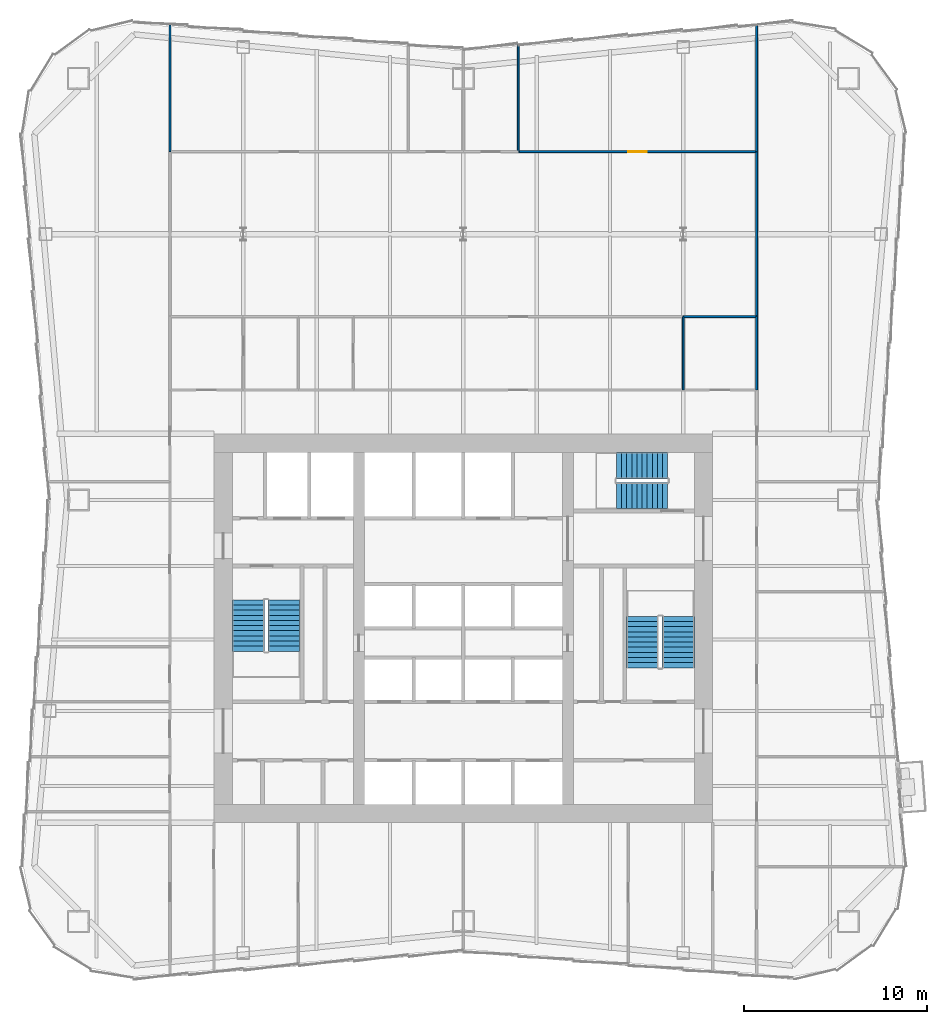
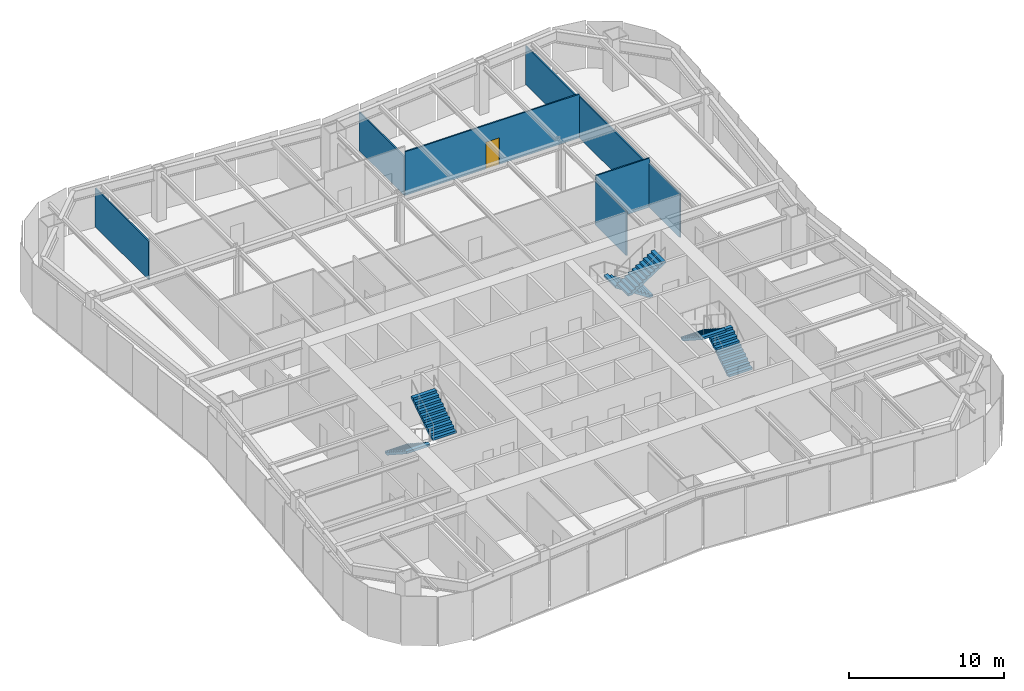
# One storey, part 7 of 9: 8 walls, 6 stair flights, 1 door, 1 opening, 3 elements without a shape of their own.
"""IFC4 building model written with IfcOpenShell, lengths in metres."""

from ifc_helpers import new_model, si_unit, direction, frame, frame_2d, origin, place, context, subcontext, project, spatial, polyline, rectangle, outline, extrude, material, layer, layer_set, type_object, element, fill, aggregate, save


model = new_model("IFC4")

# Units and contexts
model_context = context("Model", 3, precision=1e-05, world=origin(), true_north=direction((0.0, 1.0)))
body_context = subcontext(model_context, "Body", "Model", "MODEL_VIEW")
ifc_project = project(units=[si_unit("LENGTHUNIT", "METRE"), si_unit("AREAUNIT", "SQUARE_METRE"), si_unit("VOLUMEUNIT", "CUBIC_METRE"), si_unit("PLANEANGLEUNIT", "RADIAN"), si_unit("MASSUNIT", "GRAM", prefix="KILO")], contexts=[model_context])

# Site, building, storey
site_placement = place(None, origin())
site = spatial("IfcSite", under=ifc_project, at=site_placement, CompositionType="ELEMENT")
building_placement = place(site_placement, origin())
building = spatial("IfcBuilding", under=site, at=building_placement, Name="Verdant Reach Tower", CompositionType="ELEMENT")
storey_placement = place(building_placement, frame((0.0, 0.0, 130.0)))
storey = spatial("IfcBuildingStorey", under=building, at=storey_placement, Name="L29", CompositionType="ELEMENT", Elevation=130.0)

# Walls
ifc_material_1 = material(Name="Gypsum board on steel studs", Category="steel")
ifc_layer = layer(ifc_material_1, 0.10009765625)
ifc_layer_set = layer_set([ifc_layer], Name="FL-W1 Partition 100")
wall_type = type_object("IfcWallType", Name="FL-W1 Partition 100", PredefinedType="PARTITIONING", material=ifc_layer_set)
wall_1_placement = place(storey_placement, frame((-16.0, 54.0, 0.0), z_axis=(0.0, 0.0, 1.0), x_axis=(0.0, 1.0, 0.0)))
element("IfcWall", 1, at=wall_1_placement, inside=storey, type_object=wall_type, Name="Partition 29.26", PredefinedType="PARTITIONING", context=body_context, shape_type="SweptSolid", body=[
    extrude(rectangle(XDim=6.913330078125, YDim=0.10009765625, at=frame_2d((3.45654296875, 0.0))), origin(), (0.0, 0.0, 1.0), 3.0400390625),
])
wall_2_placement = place(storey_placement, frame((16.0, 45.0, 0.0), z_axis=(0.0, 0.0, 1.0), x_axis=(0.0, -1.0, 0.0)))
element("IfcWall", 2, at=wall_2_placement, inside=storey, type_object=wall_type, Name="Partition 29.31", PredefinedType="PARTITIONING", context=body_context, shape_type="SweptSolid", body=[
    extrude(rectangle(XDim=4.0, YDim=0.10009765625, at=frame_2d((2.0, 0.0))), origin(), (0.0, 0.0, 1.0), 3.43994140625),
])
wall_3_placement = place(storey_placement, frame((16.0, 54.0, 0.0), z_axis=(0.0, 0.0, 1.0), x_axis=(0.0, -1.0, 0.0)))
element("IfcWall", 3, at=wall_3_placement, inside=storey, type_object=wall_type, Name="Partition 29.32", PredefinedType="PARTITIONING", context=body_context, shape_type="SweptSolid", body=[
    extrude(rectangle(XDim=9.0, YDim=0.10009765625, at=frame_2d((4.5, 0.0))), origin(), (0.0, 0.0, 1.0), 3.239990234375),
])
wall_4_placement = place(storey_placement, frame((16.0, 60.913330078125, 0.0), z_axis=(0.0, 0.0, 1.0), x_axis=(0.0, -1.0, 0.0)))
element("IfcWall", 4, at=wall_4_placement, inside=storey, type_object=wall_type, Name="Partition 29.33", PredefinedType="PARTITIONING", context=body_context, shape_type="SweptSolid", body=[
    extrude(rectangle(XDim=6.913330078125, YDim=0.10009765625, at=frame_2d((3.45654296875, 0.0))), origin(), (0.0, 0.0, 1.0), 3.0400390625),
])
wall_5_placement = place(storey_placement, frame((12.0, 41.0, 0.0), z_axis=(0.0, 0.0, 1.0), x_axis=(0.0, 1.0, 0.0)))
element("IfcWall", 5, at=wall_5_placement, inside=storey, type_object=wall_type, Name="Partition 29.43", PredefinedType="PARTITIONING", context=body_context, shape_type="SweptSolid", body=[
    extrude(rectangle(XDim=4.0, YDim=0.10009765625, at=frame_2d((2.0, 0.0))), origin(), (0.0, 0.0, 1.0), 3.43994140625),
])
wall_6_placement = place(storey_placement, frame((16.0, 45.0, 0.0), z_axis=(0.0, 0.0, 1.0), x_axis=(-1.0, 0.0, 0.0)))
element("IfcWall", 6, at=wall_6_placement, inside=storey, type_object=wall_type, Name="Partition 29.45", PredefinedType="PARTITIONING", context=body_context, shape_type="SweptSolid", body=[
    extrude(rectangle(XDim=4.00390625, YDim=0.10009765625, at=frame_2d((2.001953125, 0.0))), origin(), (0.0, 0.0, 1.0), 3.8701171875),
])

# Wall, opening, door
wall_7_placement = place(storey_placement, frame((3.0, 54.0, 0.0), z_axis=(0.0, 0.0, 1.0), x_axis=(1.0, 0.0, 0.0)))
wall_7 = element("IfcWall", 7, at=wall_7_placement, inside=storey, type_object=wall_type, Name="Partition 29.49", PredefinedType="PARTITIONING", context=body_context, shape_type="SweptSolid", body=[
    extrude(rectangle(XDim=13.0, YDim=0.10009765625, at=frame_2d((6.5, 0.0))), origin(), (0.0, 0.0, 1.0), 3.43994140625),
])
opening_placement = place(wall_7_placement, frame((6.0, 0.0, 0.0)))
opening = element("IfcOpeningElement", 8, at=opening_placement, cuts=wall_7, Name="Opening D3", PredefinedType="OPENING", context=body_context, shape_type="SweptSolid", body=[
    extrude(rectangle(XDim=1.0, YDim=2.10009765625, at=frame_2d((0.5, 1.050048828125))), frame((0.0, 0.06005859375, 0.0), z_axis=(0.0, -1.0, 0.0), x_axis=(1.0, 0.0, 0.0)), (0.0, 0.0, 1.0), 0.1201171875),
])
ifc_material_2 = material(Name="Painted timber door leaf", Category="wood")
door_type = type_object("IfcDoorType", Name="FL-D3 Door 1000x2100", OperationType="NOTDEFINED", PredefinedType="DOOR", material=ifc_material_2)
door_placement = place(opening_placement, origin())
door = element("IfcDoor", 9, at=door_placement, inside=storey, type_object=door_type, Name="Door 29-025", OperationType="SINGLE_SWING_LEFT", OverallHeight=2.10009765625, OverallWidth=1.0, PredefinedType="DOOR", context=body_context, shape_type="SweptSolid", body=[
    extrude(rectangle(XDim=1.0, YDim=2.10009765625, at=frame_2d((0.5, 1.050048828125))), frame((0.0, 0.02490234375, 0.0), z_axis=(0.0, -1.0, 0.0), x_axis=(1.0, 0.0, 0.0)), (0.0, 0.0, 1.0), 0.050048828125),
])
fill(opening, door)

# Wall
wall_8_placement = place(storey_placement, frame((3.0, 54.0, 0.0), z_axis=(0.0, 0.0, 1.0), x_axis=(0.0, 1.0, 0.0)))
element("IfcWall", 10, at=wall_8_placement, inside=storey, type_object=wall_type, Name="Partition 29.52", PredefinedType="PARTITIONING", context=body_context, shape_type="SweptSolid", body=[
    extrude(rectangle(XDim=5.830078125, YDim=0.10009765625, at=frame_2d((2.9150390625, 0.0))), origin(), (0.0, 0.0, 1.0), 3.0400390625),
])

# Stair, stair flights
ifc_material_3 = material(Name="Concrete C40/50", Category="concrete")
stair_type = type_object("IfcStairType", Name="CO-STAIR", PredefinedType="HALF_TURN_STAIR", material=ifc_material_3)
stair_1_placement = place(storey_placement, origin())
stair_1 = element("IfcStair", 11, at=stair_1_placement, inside=storey, type_object=stair_type, Name="L29 Exit stair 1", PredefinedType="HALF_TURN_STAIR")
stair_flight_type = type_object("IfcStairFlightType", Name="CO-STAIR-FLIGHT", PredefinedType="STRAIGHT", material=ifc_material_3)
stair_flight_1_placement = place(storey_placement, frame((-11.72509765625, 29.550048828125, 0.0), z_axis=(0.0, 0.0, 1.0), x_axis=(0.0, -1.0, 0.0)))
stair_flight_1 = element("IfcStairFlight", 12, at=stair_flight_1_placement, type_object=stair_flight_type, Name="ST-1 flight 1", NumberOfRisers=11, NumberOfTreads=10, PredefinedType="STRAIGHT", RiserHeight=0.181818182, TreadLength=0.28, context=body_context, shape_type="SweptSolid", body=[
    extrude(outline(polyline([(0.0, 0.0), (0.0, 0.181884765625), (0.280029296875, 0.181884765625), (0.280029296875, 0.363525390625), (0.56005859375, 0.363525390625), (0.56005859375, 0.54541015625), (0.840087890625, 0.54541015625), (0.840087890625, 0.727294921875), (1.1201171875, 0.727294921875), (1.1201171875, 0.9091796875), (1.39990234375, 0.9091796875), (1.39990234375, 1.0908203125), (1.679931640625, 1.0908203125), (1.679931640625, 1.272705078125), (1.9599609375, 1.272705078125), (1.9599609375, 1.45458984375), (2.239990234375, 1.45458984375), (2.239990234375, 1.636474609375), (2.52001953125, 1.636474609375), (2.52001953125, 1.818115234375), (2.800048828125, 1.818115234375), (2.800048828125, 2.0), (2.800048828125, 1.639404296875), (0.275146484375, 0.0), (0.0, 0.0)])), frame((0.0, 0.875, 0.0), z_axis=(0.0, -1.0, 0.0), x_axis=(1.0, 0.0, 0.0)), (0.0, 0.0, 1.0), 1.75),
])
stair_flight_2_placement = place(storey_placement, frame((-9.77490234375, 26.75, 2.0), z_axis=(0.0, 0.0, 1.0), x_axis=(0.0, 1.0, 0.0)))
stair_flight_2 = element("IfcStairFlight", 13, at=stair_flight_2_placement, type_object=stair_flight_type, Name="ST-1 flight 2", NumberOfRisers=11, NumberOfTreads=10, PredefinedType="STRAIGHT", RiserHeight=0.181818182, TreadLength=0.28, context=body_context, shape_type="SweptSolid", body=[
    extrude(outline(polyline([(0.0, 0.0), (0.0, 0.181884765625), (0.280029296875, 0.181884765625), (0.280029296875, 0.363525390625), (0.56005859375, 0.363525390625), (0.56005859375, 0.54541015625), (0.840087890625, 0.54541015625), (0.840087890625, 0.727294921875), (1.1201171875, 0.727294921875), (1.1201171875, 0.9091796875), (1.39990234375, 0.9091796875), (1.39990234375, 1.0908203125), (1.679931640625, 1.0908203125), (1.679931640625, 1.272705078125), (1.9599609375, 1.272705078125), (1.9599609375, 1.45458984375), (2.239990234375, 1.45458984375), (2.239990234375, 1.636474609375), (2.52001953125, 1.636474609375), (2.52001953125, 1.818115234375), (2.800048828125, 1.818115234375), (2.800048828125, 2.0), (2.800048828125, 1.639404296875), (0.275146484375, 0.0), (0.0, 0.0)])), frame((0.0, 0.875, 0.0), z_axis=(0.0, -1.0, 0.0), x_axis=(1.0, 0.0, 0.0)), (0.0, 0.0, 1.0), 1.75),
])
aggregate(stair_1, [stair_flight_1, stair_flight_2])

stair_2_placement = place(storey_placement, origin())
stair_2 = element("IfcStair", 14, at=stair_2_placement, inside=storey, type_object=stair_type, Name="L29 Exit stair 2", PredefinedType="HALF_TURN_STAIR")
stair_flight_3_placement = place(storey_placement, frame((11.72509765625, 25.85009765625, 0.0), z_axis=(0.0, 0.0, 1.0), x_axis=(0.0, 1.0, 0.0)))
stair_flight_3 = element("IfcStairFlight", 15, at=stair_flight_3_placement, type_object=stair_flight_type, Name="ST-2 flight 1", NumberOfRisers=11, NumberOfTreads=10, PredefinedType="STRAIGHT", RiserHeight=0.181818182, TreadLength=0.28, context=body_context, shape_type="SweptSolid", body=[
    extrude(outline(polyline([(0.0, 0.0), (0.0, 0.181884765625), (0.280029296875, 0.181884765625), (0.280029296875, 0.363525390625), (0.56005859375, 0.363525390625), (0.56005859375, 0.54541015625), (0.840087890625, 0.54541015625), (0.840087890625, 0.727294921875), (1.1201171875, 0.727294921875), (1.1201171875, 0.9091796875), (1.39990234375, 0.9091796875), (1.39990234375, 1.0908203125), (1.679931640625, 1.0908203125), (1.679931640625, 1.272705078125), (1.9599609375, 1.272705078125), (1.9599609375, 1.45458984375), (2.239990234375, 1.45458984375), (2.239990234375, 1.636474609375), (2.52001953125, 1.636474609375), (2.52001953125, 1.818115234375), (2.800048828125, 1.818115234375), (2.800048828125, 2.0), (2.800048828125, 1.639404296875), (0.275146484375, 0.0), (0.0, 0.0)])), frame((0.0, 0.875, 0.0), z_axis=(0.0, -1.0, 0.0), x_axis=(1.0, 0.0, 0.0)), (0.0, 0.0, 1.0), 1.75),
])
stair_flight_4_placement = place(storey_placement, frame((9.77490234375, 28.64990234375, 2.0), z_axis=(0.0, 0.0, 1.0), x_axis=(0.0, -1.0, 0.0)))
stair_flight_4 = element("IfcStairFlight", 16, at=stair_flight_4_placement, type_object=stair_flight_type, Name="ST-2 flight 2", NumberOfRisers=11, NumberOfTreads=10, PredefinedType="STRAIGHT", RiserHeight=0.181818182, TreadLength=0.28, context=body_context, shape_type="SweptSolid", body=[
    extrude(outline(polyline([(0.0, 0.0), (0.0, 0.181884765625), (0.280029296875, 0.181884765625), (0.280029296875, 0.363525390625), (0.56005859375, 0.363525390625), (0.56005859375, 0.54541015625), (0.840087890625, 0.54541015625), (0.840087890625, 0.727294921875), (1.1201171875, 0.727294921875), (1.1201171875, 0.9091796875), (1.39990234375, 0.9091796875), (1.39990234375, 1.0908203125), (1.679931640625, 1.0908203125), (1.679931640625, 1.272705078125), (1.9599609375, 1.272705078125), (1.9599609375, 1.45458984375), (2.239990234375, 1.45458984375), (2.239990234375, 1.636474609375), (2.52001953125, 1.636474609375), (2.52001953125, 1.818115234375), (2.800048828125, 1.818115234375), (2.800048828125, 2.0), (2.800048828125, 1.639404296875), (0.275146484375, 0.0), (0.0, 0.0)])), frame((0.0, 0.875, 0.0), z_axis=(0.0, -1.0, 0.0), x_axis=(1.0, 0.0, 0.0)), (0.0, 0.0, 1.0), 1.75),
])
aggregate(stair_2, [stair_flight_3, stair_flight_4])

stair_3_placement = place(storey_placement, origin())
stair_3 = element("IfcStair", 17, at=stair_3_placement, inside=storey, type_object=stair_type, Name="L29 Exit stair 3", PredefinedType="HALF_TURN_STAIR")
stair_flight_5_placement = place(storey_placement, frame((11.14990234375, 36.875, 0.0), z_axis=(0.0, 0.0, 1.0), x_axis=(-1.0, 0.0, 0.0)))
stair_flight_5 = element("IfcStairFlight", 18, at=stair_flight_5_placement, type_object=stair_flight_type, Name="ST-3 flight 1", NumberOfRisers=11, NumberOfTreads=10, PredefinedType="STRAIGHT", RiserHeight=0.181818182, TreadLength=0.28, context=body_context, shape_type="SweptSolid", body=[
    extrude(outline(polyline([(0.0, 0.0), (0.0, 0.181884765625), (0.280029296875, 0.181884765625), (0.280029296875, 0.363525390625), (0.56005859375, 0.363525390625), (0.56005859375, 0.54541015625), (0.840087890625, 0.54541015625), (0.840087890625, 0.727294921875), (1.1201171875, 0.727294921875), (1.1201171875, 0.9091796875), (1.39990234375, 0.9091796875), (1.39990234375, 1.0908203125), (1.679931640625, 1.0908203125), (1.679931640625, 1.272705078125), (1.9599609375, 1.272705078125), (1.9599609375, 1.45458984375), (2.239990234375, 1.45458984375), (2.239990234375, 1.636474609375), (2.52001953125, 1.636474609375), (2.52001953125, 1.818115234375), (2.800048828125, 1.818115234375), (2.800048828125, 2.0), (2.800048828125, 1.639404296875), (0.275146484375, 0.0), (0.0, 0.0)])), frame((0.0, 0.72509765625, 0.0), z_axis=(0.0, -1.0, 0.0), x_axis=(1.0, 0.0, 0.0)), (0.0, 0.0, 1.0), 1.449951171875),
])
stair_flight_6_placement = place(storey_placement, frame((8.35009765625, 35.22509765625, 2.0), z_axis=(0.0, 0.0, 1.0), x_axis=(1.0, 0.0, 0.0)))
stair_flight_6 = element("IfcStairFlight", 19, at=stair_flight_6_placement, type_object=stair_flight_type, Name="ST-3 flight 2", NumberOfRisers=11, NumberOfTreads=10, PredefinedType="STRAIGHT", RiserHeight=0.181818182, TreadLength=0.28, context=body_context, shape_type="SweptSolid", body=[
    extrude(outline(polyline([(0.0, 0.0), (0.0, 0.181884765625), (0.280029296875, 0.181884765625), (0.280029296875, 0.363525390625), (0.56005859375, 0.363525390625), (0.56005859375, 0.54541015625), (0.840087890625, 0.54541015625), (0.840087890625, 0.727294921875), (1.1201171875, 0.727294921875), (1.1201171875, 0.9091796875), (1.39990234375, 0.9091796875), (1.39990234375, 1.0908203125), (1.679931640625, 1.0908203125), (1.679931640625, 1.272705078125), (1.9599609375, 1.272705078125), (1.9599609375, 1.45458984375), (2.239990234375, 1.45458984375), (2.239990234375, 1.636474609375), (2.52001953125, 1.636474609375), (2.52001953125, 1.818115234375), (2.800048828125, 1.818115234375), (2.800048828125, 2.0), (2.800048828125, 1.639404296875), (0.275146484375, 0.0), (0.0, 0.0)])), frame((0.0, 0.72509765625, 0.0), z_axis=(0.0, -1.0, 0.0), x_axis=(1.0, 0.0, 0.0)), (0.0, 0.0, 1.0), 1.449951171875),
])
aggregate(stair_3, [stair_flight_5, stair_flight_6])

save(model, "model.ifc")
